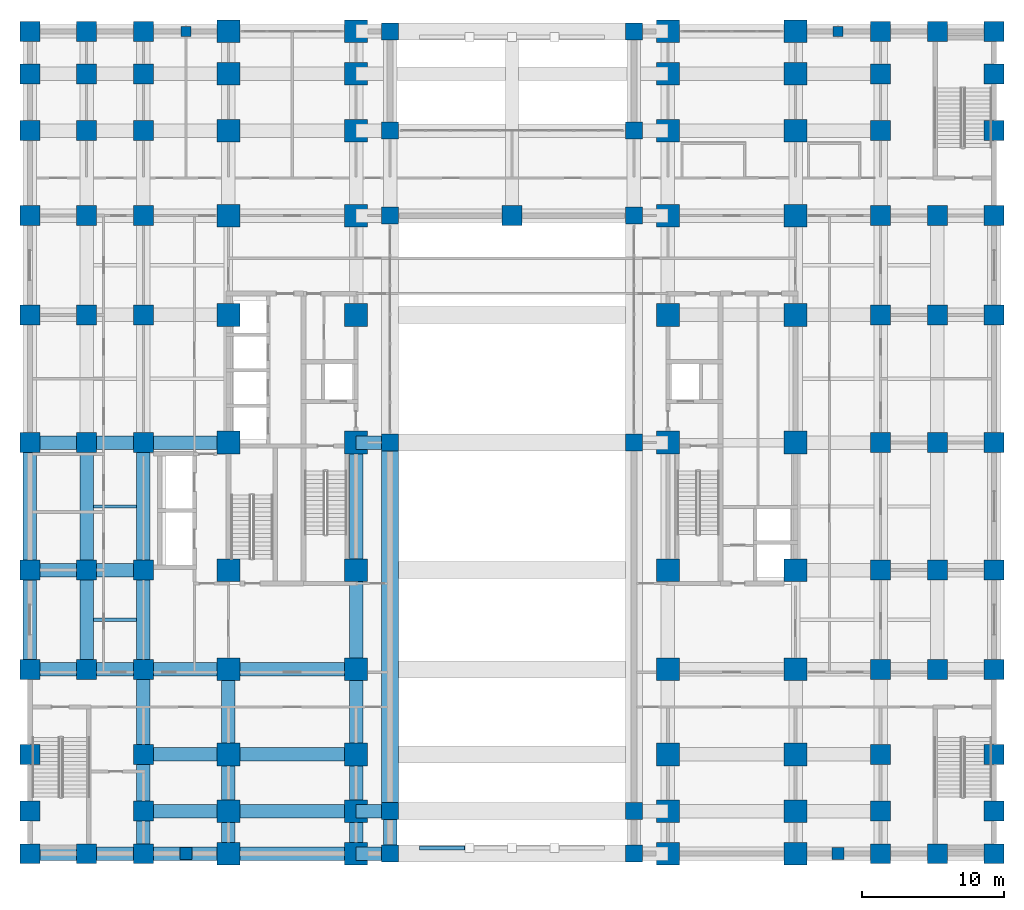
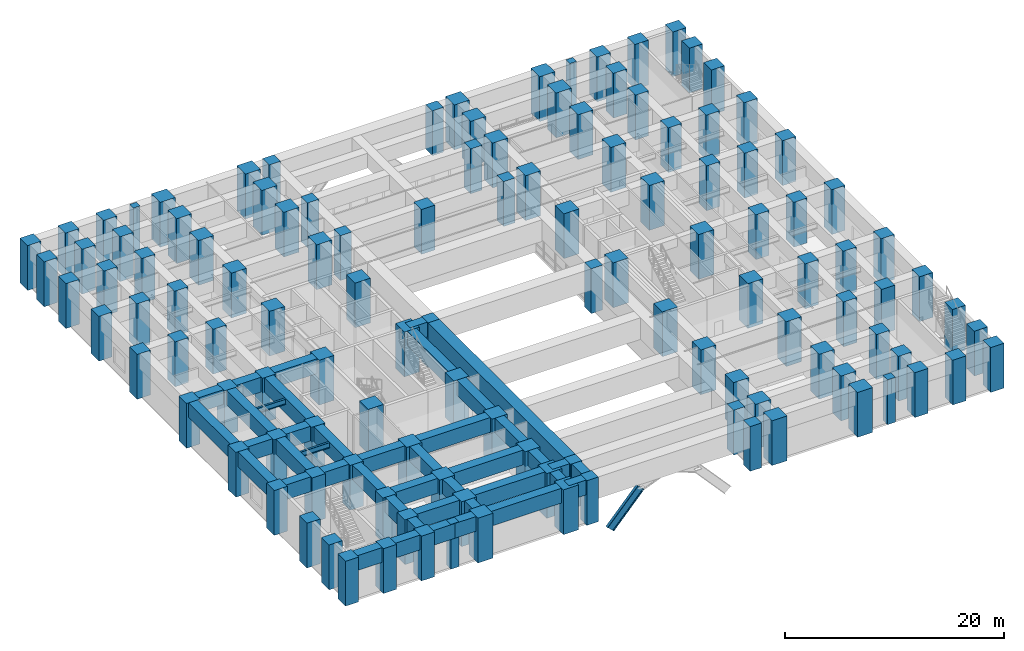
# One storey, part 1 of 24: 121 columns, 42 beams, 1 member.
"""IFC4 building model written with IfcOpenShell, lengths in metres."""

from ifc_helpers import new_model, si_unit, direction, frame, origin, origin_2d, place, context, subcontext, project, spatial, rectangle, i_section, extrude, material, material_profile, profile_set, type_object, element, save


model = new_model("IFC4")

# Units and contexts
model_context = context("Model", 3, precision=1e-05, world=origin(), true_north=direction((0.0, 1.0)))
body_context = subcontext(model_context, "Body", "Model", "MODEL_VIEW")
ifc_project = project(units=[si_unit("LENGTHUNIT", "METRE"), si_unit("AREAUNIT", "SQUARE_METRE"), si_unit("VOLUMEUNIT", "CUBIC_METRE"), si_unit("PLANEANGLEUNIT", "RADIAN"), si_unit("MASSUNIT", "GRAM", prefix="KILO")], contexts=[model_context])

# Site, building, storey
site_placement = place(None, origin())
site = spatial("IfcSite", under=ifc_project, at=site_placement, CompositionType="ELEMENT")
building_placement = place(site_placement, origin())
building = spatial("IfcBuilding", under=site, at=building_placement, Name="Zulmaris Gate Convention Tower", CompositionType="ELEMENT")
storey_placement = place(building_placement, frame((0.0, 0.0, 16.320068359375)))
storey = spatial("IfcBuildingStorey", under=building, at=storey_placement, Name="L03", CompositionType="ELEMENT", Elevation=16.320068359375)

# Columns
ifc_material_1 = material(Name="Concrete C70/85", Category="concrete")
ifc_material_profile_1 = material_profile(ifc_material_1, rectangle(XDim=1.199951171875, YDim=1.199951171875, at=origin_2d()), Name="RC COL 1200x1200")
ifc_profile_set_1 = profile_set([ifc_material_profile_1], Name="Concrete C70/85")
column_type_1 = type_object("IfcColumnType", Name="COL-RC1200", PredefinedType="COLUMN", material=ifc_profile_set_1)
for number, where, z_axis, x_axis, name in (
    (1, (-8.60009765625, -29.0, 0.0), (0.0, 0.0, 1.0), (1.0, 0.0, 0.0), "L03 Column AR--8.6_-29.0"),
    (2, (8.60009765625, -29.0, 0.0), (0.0, 0.0, 1.0), (1.0, 0.0, 0.0), "L03 Column AR-+8.6_-29.0"),
    (3, (-8.60009765625, -26.0, 0.0), (0.0, 0.0, 1.0), (1.0, 0.0, 0.0), "L03 Column AR--8.6_-26.0"),
    (4, (8.60009765625, -26.0, 0.0), (0.0, 0.0, 1.0), (1.0, 0.0, 0.0), "L03 Column AR-+8.6_-26.0"),
    (5, (-8.60009765625, 0.0, 0.0), (0.0, 0.0, 1.0), (1.0, 0.0, 0.0), "L03 Column AR--8.6_+0.0"),
    (6, (8.60009765625, 0.0, 0.0), (0.0, 0.0, 1.0), (1.0, 0.0, 0.0), "L03 Column AR-+8.6_+0.0"),
    (7, (-8.60009765625, 16.0, 0.0), (0.0, 0.0, 1.0), (1.0, 0.0, 0.0), "L03 Column AR--8.6_+16.0"),
    (8, (8.60009765625, 16.0, 0.0), (0.0, 0.0, 1.0), (1.0, 0.0, 0.0), "L03 Column AR-+8.6_+16.0"),
    (9, (-8.60009765625, 22.0, 0.0), (0.0, 0.0, 1.0), (1.0, 0.0, 0.0), "L03 Column AR--8.6_+22.0"),
    (10, (8.60009765625, 22.0, 0.0), (0.0, 0.0, 1.0), (1.0, 0.0, 0.0), "L03 Column AR-+8.6_+22.0"),
    (11, (-8.60009765625, 29.0, 0.0), (0.0, 0.0, 1.0), (1.0, 0.0, 0.0), "L03 Column AR--8.6_+29.0"),
    (12, (8.60009765625, 29.0, 0.0), (0.0, 0.0, 1.0), (1.0, 0.0, 0.0), "L03 Column AR-+8.6_+29.0"),
):
    element("IfcColumn", number, at=place(storey_placement, frame(where, z_axis=z_axis, x_axis=x_axis)), inside=storey, type_object=column_type_1, Name=name, PredefinedType="COLUMN", context=body_context, shape_type="SweptSolid", body=[
        extrude(rectangle(XDim=1.199951171875, YDim=1.199951171875, at=origin_2d()), origin(), (0.0, 0.0, 1.0), 4.989990234375),
    ])
ifc_material_2 = material(Name="Concrete C80/95", Category="concrete")
ifc_material_profile_2 = material_profile(ifc_material_2, rectangle(XDim=1.39990234375, YDim=1.39990234375, at=origin_2d()), Name="RC COL 1400x1400")
ifc_profile_set_2 = profile_set([ifc_material_profile_2], Name="Concrete C80/95")
column_type_2 = type_object("IfcColumnType", Name="COL-RC1400", PredefinedType="COLUMN", material=ifc_profile_set_2)
for number, where, z_axis, x_axis, name in (
    (13, (-34.0, -29.0, 0.0), (0.0, 0.0, 1.0), (1.0, 0.0, 0.0), "L03 Column G--34.0_-29.0"),
    (14, (-34.0, -26.0, 0.0), (0.0, 0.0, 1.0), (1.0, 0.0, 0.0), "L03 Column G--34.0_-26.0"),
    (15, (-34.0, -22.0, 0.0), (0.0, 0.0, 1.0), (1.0, 0.0, 0.0), "L03 Column G--34.0_-22.0"),
    (16, (-34.0, -16.0, 0.0), (0.0, 0.0, 1.0), (1.0, 0.0, 0.0), "L03 Column G--34.0_-16.0"),
    (17, (-34.0, -9.0, 0.0), (0.0, 0.0, 1.0), (1.0, 0.0, 0.0), "L03 Column G--34.0_-9.0"),
    (18, (-34.0, 0.0, 0.0), (0.0, 0.0, 1.0), (1.0, 0.0, 0.0), "L03 Column G--34.0_+0.0"),
    (19, (-34.0, 9.0, 0.0), (0.0, 0.0, 1.0), (1.0, 0.0, 0.0), "L03 Column G--34.0_+9.0"),
    (20, (-34.0, 16.0, 0.0), (0.0, 0.0, 1.0), (1.0, 0.0, 0.0), "L03 Column G--34.0_+16.0"),
    (21, (-34.0, 22.0, 0.0), (0.0, 0.0, 1.0), (1.0, 0.0, 0.0), "L03 Column G--34.0_+22.0"),
    (22, (-34.0, 26.0, 0.0), (0.0, 0.0, 1.0), (1.0, 0.0, 0.0), "L03 Column G--34.0_+26.0"),
    (23, (-34.0, 29.0, 0.0), (0.0, 0.0, 1.0), (1.0, 0.0, 0.0), "L03 Column G--34.0_+29.0"),
    (24, (-30.0, -29.0, 0.0), (0.0, 0.0, 1.0), (1.0, 0.0, 0.0), "L03 Column G--30.0_-29.0"),
    (25, (-30.0, -16.0, 0.0), (0.0, 0.0, 1.0), (1.0, 0.0, 0.0), "L03 Column G--30.0_-16.0"),
    (26, (-30.0, -9.0, 0.0), (0.0, 0.0, 1.0), (1.0, 0.0, 0.0), "L03 Column G--30.0_-9.0"),
    (27, (-30.0, 0.0, 0.0), (0.0, 0.0, 1.0), (1.0, 0.0, 0.0), "L03 Column G--30.0_+0.0"),
    (28, (-30.0, 9.0, 0.0), (0.0, 0.0, 1.0), (1.0, 0.0, 0.0), "L03 Column G--30.0_+9.0"),
    (29, (-30.0, 16.0, 0.0), (0.0, 0.0, 1.0), (1.0, 0.0, 0.0), "L03 Column G--30.0_+16.0"),
    (30, (-30.0, 22.0, 0.0), (0.0, 0.0, 1.0), (1.0, 0.0, 0.0), "L03 Column G--30.0_+22.0"),
    (31, (-30.0, 26.0, 0.0), (0.0, 0.0, 1.0), (1.0, 0.0, 0.0), "L03 Column G--30.0_+26.0"),
    (32, (-30.0, 29.0, 0.0), (0.0, 0.0, 1.0), (1.0, 0.0, 0.0), "L03 Column G--30.0_+29.0"),
    (33, (-26.0, -29.0, 0.0), (0.0, 0.0, 1.0), (1.0, 0.0, 0.0), "L03 Column G--26.0_-29.0"),
    (34, (-26.0, -26.0, 0.0), (0.0, 0.0, 1.0), (1.0, 0.0, 0.0), "L03 Column G--26.0_-26.0"),
    (35, (-26.0, -22.0, 0.0), (0.0, 0.0, 1.0), (1.0, 0.0, 0.0), "L03 Column G--26.0_-22.0"),
    (36, (-26.0, -16.0, 0.0), (0.0, 0.0, 1.0), (1.0, 0.0, 0.0), "L03 Column G--26.0_-16.0"),
    (37, (-26.0, -9.0, 0.0), (0.0, 0.0, 1.0), (1.0, 0.0, 0.0), "L03 Column G--26.0_-9.0"),
    (38, (-26.0, 0.0, 0.0), (0.0, 0.0, 1.0), (1.0, 0.0, 0.0), "L03 Column G--26.0_+0.0"),
    (39, (-26.0, 9.0, 0.0), (0.0, 0.0, 1.0), (1.0, 0.0, 0.0), "L03 Column G--26.0_+9.0"),
    (40, (-26.0, 16.0, 0.0), (0.0, 0.0, 1.0), (1.0, 0.0, 0.0), "L03 Column G--26.0_+16.0"),
    (41, (-26.0, 22.0, 0.0), (0.0, 0.0, 1.0), (1.0, 0.0, 0.0), "L03 Column G--26.0_+22.0"),
    (42, (-26.0, 26.0, 0.0), (0.0, 0.0, 1.0), (1.0, 0.0, 0.0), "L03 Column G--26.0_+26.0"),
    (43, (-26.0, 29.0, 0.0), (0.0, 0.0, 1.0), (1.0, 0.0, 0.0), "L03 Column G--26.0_+29.0"),
    (44, (0.0, 16.0, 0.0), (0.0, 0.0, 1.0), (1.0, 0.0, 0.0), "L03 Column G-+0.0_+16.0"),
    (45, (26.0, -29.0, 0.0), (0.0, 0.0, 1.0), (1.0, 0.0, 0.0), "L03 Column G-+26.0_-29.0"),
    (46, (26.0, -26.0, 0.0), (0.0, 0.0, 1.0), (1.0, 0.0, 0.0), "L03 Column G-+26.0_-26.0"),
    (47, (26.0, -22.0, 0.0), (0.0, 0.0, 1.0), (1.0, 0.0, 0.0), "L03 Column G-+26.0_-22.0"),
    (48, (26.0, -16.0, 0.0), (0.0, 0.0, 1.0), (1.0, 0.0, 0.0), "L03 Column G-+26.0_-16.0"),
    (49, (26.0, -9.0, 0.0), (0.0, 0.0, 1.0), (1.0, 0.0, 0.0), "L03 Column G-+26.0_-9.0"),
    (50, (26.0, 0.0, 0.0), (0.0, 0.0, 1.0), (1.0, 0.0, 0.0), "L03 Column G-+26.0_+0.0"),
    (51, (26.0, 9.0, 0.0), (0.0, 0.0, 1.0), (1.0, 0.0, 0.0), "L03 Column G-+26.0_+9.0"),
    (52, (26.0, 16.0, 0.0), (0.0, 0.0, 1.0), (1.0, 0.0, 0.0), "L03 Column G-+26.0_+16.0"),
    (53, (26.0, 22.0, 0.0), (0.0, 0.0, 1.0), (1.0, 0.0, 0.0), "L03 Column G-+26.0_+22.0"),
    (54, (26.0, 26.0, 0.0), (0.0, 0.0, 1.0), (1.0, 0.0, 0.0), "L03 Column G-+26.0_+26.0"),
    (55, (26.0, 29.0, 0.0), (0.0, 0.0, 1.0), (1.0, 0.0, 0.0), "L03 Column G-+26.0_+29.0"),
    (56, (30.0, -29.0, 0.0), (0.0, 0.0, 1.0), (1.0, 0.0, 0.0), "L03 Column G-+30.0_-29.0"),
    (57, (30.0, -16.0, 0.0), (0.0, 0.0, 1.0), (1.0, 0.0, 0.0), "L03 Column G-+30.0_-16.0"),
    (58, (30.0, -9.0, 0.0), (0.0, 0.0, 1.0), (1.0, 0.0, 0.0), "L03 Column G-+30.0_-9.0"),
    (59, (30.0, 0.0, 0.0), (0.0, 0.0, 1.0), (1.0, 0.0, 0.0), "L03 Column G-+30.0_+0.0"),
    (60, (30.0, 9.0, 0.0), (0.0, 0.0, 1.0), (1.0, 0.0, 0.0), "L03 Column G-+30.0_+9.0"),
    (61, (30.0, 16.0, 0.0), (0.0, 0.0, 1.0), (1.0, 0.0, 0.0), "L03 Column G-+30.0_+16.0"),
    (62, (30.0, 29.0, 0.0), (0.0, 0.0, 1.0), (1.0, 0.0, 0.0), "L03 Column G-+30.0_+29.0"),
    (63, (34.0, -29.0, 0.0), (0.0, 0.0, 1.0), (1.0, 0.0, 0.0), "L03 Column G-+34.0_-29.0"),
    (64, (34.0, -26.0, 0.0), (0.0, 0.0, 1.0), (1.0, 0.0, 0.0), "L03 Column G-+34.0_-26.0"),
    (65, (34.0, -22.0, 0.0), (0.0, 0.0, 1.0), (1.0, 0.0, 0.0), "L03 Column G-+34.0_-22.0"),
    (66, (34.0, -16.0, 0.0), (0.0, 0.0, 1.0), (1.0, 0.0, 0.0), "L03 Column G-+34.0_-16.0"),
    (67, (34.0, -9.0, 0.0), (0.0, 0.0, 1.0), (1.0, 0.0, 0.0), "L03 Column G-+34.0_-9.0"),
    (68, (34.0, 0.0, 0.0), (0.0, 0.0, 1.0), (1.0, 0.0, 0.0), "L03 Column G-+34.0_+0.0"),
    (69, (34.0, 9.0, 0.0), (0.0, 0.0, 1.0), (1.0, 0.0, 0.0), "L03 Column G-+34.0_+9.0"),
    (70, (34.0, 16.0, 0.0), (0.0, 0.0, 1.0), (1.0, 0.0, 0.0), "L03 Column G-+34.0_+16.0"),
    (71, (34.0, 22.0, 0.0), (0.0, 0.0, 1.0), (1.0, 0.0, 0.0), "L03 Column G-+34.0_+22.0"),
    (72, (34.0, 26.0, 0.0), (0.0, 0.0, 1.0), (1.0, 0.0, 0.0), "L03 Column G-+34.0_+26.0"),
    (73, (34.0, 29.0, 0.0), (0.0, 0.0, 1.0), (1.0, 0.0, 0.0), "L03 Column G-+34.0_+29.0"),
):
    element("IfcColumn", number, at=place(storey_placement, frame(where, z_axis=z_axis, x_axis=x_axis)), inside=storey, type_object=column_type_2, Name=name, PredefinedType="COLUMN", context=body_context, shape_type="SweptSolid", body=[
        extrude(rectangle(XDim=1.39990234375, YDim=1.39990234375, at=origin_2d()), origin(), (0.0, 0.0, 1.0), 4.989990234375),
    ])
ifc_material_profile_3 = material_profile(ifc_material_2, rectangle(XDim=1.60009765625, YDim=1.60009765625, at=origin_2d()), Name="RC COL 1600x1600")
ifc_profile_set_3 = profile_set([ifc_material_profile_3], Name="Concrete C80/95")
column_type_3 = type_object("IfcColumnType", Name="COL-RC1600", PredefinedType="COLUMN", material=ifc_profile_set_3)
for number, where, z_axis, x_axis, name in (
    (74, (-20.0, -29.0, 0.0), (0.0, 0.0, 1.0), (1.0, 0.0, 0.0), "L03 Column G--20.0_-29.0"),
    (75, (-20.0, -26.0, 0.0), (0.0, 0.0, 1.0), (1.0, 0.0, 0.0), "L03 Column G--20.0_-26.0"),
    (76, (-20.0, -22.0, 0.0), (0.0, 0.0, 1.0), (1.0, 0.0, 0.0), "L03 Column G--20.0_-22.0"),
    (77, (-20.0, -16.0, 0.0), (0.0, 0.0, 1.0), (1.0, 0.0, 0.0), "L03 Column G--20.0_-16.0"),
    (78, (-20.0, -9.0, 0.0), (0.0, 0.0, 1.0), (1.0, 0.0, 0.0), "L03 Column G--20.0_-9.0"),
    (79, (-20.0, 0.0, 0.0), (0.0, 0.0, 1.0), (1.0, 0.0, 0.0), "L03 Column G--20.0_+0.0"),
    (80, (-20.0, 9.0, 0.0), (0.0, 0.0, 1.0), (1.0, 0.0, 0.0), "L03 Column G--20.0_+9.0"),
    (81, (-20.0, 16.0, 0.0), (0.0, 0.0, 1.0), (1.0, 0.0, 0.0), "L03 Column G--20.0_+16.0"),
    (82, (-20.0, 22.0, 0.0), (0.0, 0.0, 1.0), (1.0, 0.0, 0.0), "L03 Column G--20.0_+22.0"),
    (83, (-20.0, 26.0, 0.0), (0.0, 0.0, 1.0), (1.0, 0.0, 0.0), "L03 Column G--20.0_+26.0"),
    (84, (-20.0, 29.0, 0.0), (0.0, 0.0, 1.0), (1.0, 0.0, 0.0), "L03 Column G--20.0_+29.0"),
    (85, (-11.0, -29.0, 0.0), (0.0, 0.0, 1.0), (1.0, 0.0, 0.0), "L03 Column G--11.0_-29.0"),
    (86, (-11.0, -26.0, 0.0), (0.0, 0.0, 1.0), (1.0, 0.0, 0.0), "L03 Column G--11.0_-26.0"),
    (87, (-11.0, -22.0, 0.0), (0.0, 0.0, 1.0), (1.0, 0.0, 0.0), "L03 Column G--11.0_-22.0"),
    (88, (-11.0, -16.0, 0.0), (0.0, 0.0, 1.0), (1.0, 0.0, 0.0), "L03 Column G--11.0_-16.0"),
    (89, (-11.0, -9.0, 0.0), (0.0, 0.0, 1.0), (1.0, 0.0, 0.0), "L03 Column G--11.0_-9.0"),
    (90, (-11.0, 0.0, 0.0), (0.0, 0.0, 1.0), (1.0, 0.0, 0.0), "L03 Column G--11.0_+0.0"),
    (91, (-11.0, 9.0, 0.0), (0.0, 0.0, 1.0), (1.0, 0.0, 0.0), "L03 Column G--11.0_+9.0"),
    (92, (-11.0, 16.0, 0.0), (0.0, 0.0, 1.0), (1.0, 0.0, 0.0), "L03 Column G--11.0_+16.0"),
    (93, (-11.0, 22.0, 0.0), (0.0, 0.0, 1.0), (1.0, 0.0, 0.0), "L03 Column G--11.0_+22.0"),
    (94, (-11.0, 26.0, 0.0), (0.0, 0.0, 1.0), (1.0, 0.0, 0.0), "L03 Column G--11.0_+26.0"),
    (95, (-11.0, 29.0, 0.0), (0.0, 0.0, 1.0), (1.0, 0.0, 0.0), "L03 Column G--11.0_+29.0"),
    (96, (11.0, -29.0, 0.0), (0.0, 0.0, 1.0), (1.0, 0.0, 0.0), "L03 Column G-+11.0_-29.0"),
    (97, (11.0, -26.0, 0.0), (0.0, 0.0, 1.0), (1.0, 0.0, 0.0), "L03 Column G-+11.0_-26.0"),
    (98, (11.0, -22.0, 0.0), (0.0, 0.0, 1.0), (1.0, 0.0, 0.0), "L03 Column G-+11.0_-22.0"),
    (99, (11.0, -16.0, 0.0), (0.0, 0.0, 1.0), (1.0, 0.0, 0.0), "L03 Column G-+11.0_-16.0"),
    (100, (11.0, -9.0, 0.0), (0.0, 0.0, 1.0), (1.0, 0.0, 0.0), "L03 Column G-+11.0_-9.0"),
    (101, (11.0, 0.0, 0.0), (0.0, 0.0, 1.0), (1.0, 0.0, 0.0), "L03 Column G-+11.0_+0.0"),
    (102, (11.0, 9.0, 0.0), (0.0, 0.0, 1.0), (1.0, 0.0, 0.0), "L03 Column G-+11.0_+9.0"),
    (103, (11.0, 16.0, 0.0), (0.0, 0.0, 1.0), (1.0, 0.0, 0.0), "L03 Column G-+11.0_+16.0"),
    (104, (11.0, 22.0, 0.0), (0.0, 0.0, 1.0), (1.0, 0.0, 0.0), "L03 Column G-+11.0_+22.0"),
    (105, (11.0, 26.0, 0.0), (0.0, 0.0, 1.0), (1.0, 0.0, 0.0), "L03 Column G-+11.0_+26.0"),
    (106, (11.0, 29.0, 0.0), (0.0, 0.0, 1.0), (1.0, 0.0, 0.0), "L03 Column G-+11.0_+29.0"),
    (107, (20.0, -29.0, 0.0), (0.0, 0.0, 1.0), (1.0, 0.0, 0.0), "L03 Column G-+20.0_-29.0"),
    (108, (20.0, -26.0, 0.0), (0.0, 0.0, 1.0), (1.0, 0.0, 0.0), "L03 Column G-+20.0_-26.0"),
    (109, (20.0, -22.0, 0.0), (0.0, 0.0, 1.0), (1.0, 0.0, 0.0), "L03 Column G-+20.0_-22.0"),
    (110, (20.0, -16.0, 0.0), (0.0, 0.0, 1.0), (1.0, 0.0, 0.0), "L03 Column G-+20.0_-16.0"),
    (111, (20.0, -9.0, 0.0), (0.0, 0.0, 1.0), (1.0, 0.0, 0.0), "L03 Column G-+20.0_-9.0"),
    (112, (20.0, 0.0, 0.0), (0.0, 0.0, 1.0), (1.0, 0.0, 0.0), "L03 Column G-+20.0_+0.0"),
    (113, (20.0, 9.0, 0.0), (0.0, 0.0, 1.0), (1.0, 0.0, 0.0), "L03 Column G-+20.0_+9.0"),
    (114, (20.0, 16.0, 0.0), (0.0, 0.0, 1.0), (1.0, 0.0, 0.0), "L03 Column G-+20.0_+16.0"),
    (115, (20.0, 22.0, 0.0), (0.0, 0.0, 1.0), (1.0, 0.0, 0.0), "L03 Column G-+20.0_+22.0"),
    (116, (20.0, 26.0, 0.0), (0.0, 0.0, 1.0), (1.0, 0.0, 0.0), "L03 Column G-+20.0_+26.0"),
    (117, (20.0, 29.0, 0.0), (0.0, 0.0, 1.0), (1.0, 0.0, 0.0), "L03 Column G-+20.0_+29.0"),
):
    element("IfcColumn", number, at=place(storey_placement, frame(where, z_axis=z_axis, x_axis=x_axis)), inside=storey, type_object=column_type_3, Name=name, PredefinedType="COLUMN", context=body_context, shape_type="SweptSolid", body=[
        extrude(rectangle(XDim=1.60009765625, YDim=1.60009765625, at=origin_2d()), origin(), (0.0, 0.0, 1.0), 4.989990234375),
    ])
ifc_material_3 = material(Name="Precast concrete C50/60", Category="concrete")
ifc_material_profile_4 = material_profile(ifc_material_3, rectangle(XDim=0.699951171875, YDim=0.699951171875, at=origin_2d()), Name="RC COL 700x700")
ifc_profile_set_4 = profile_set([ifc_material_profile_4], Name="Precast concrete C50/60")
column_type_4 = type_object("IfcColumnType", Name="PIL-RC700", PredefinedType="PILASTER", material=ifc_profile_set_4)
for number, where, z_axis, x_axis, name in (
    (118, (-23.0, 29.0, 0.0), (0.0, 0.0, 1.0), (1.0, 0.0, 0.0), "L03 Pilaster PIL--23.0_+29.0"),
    (119, (23.0, 29.0, 0.0), (0.0, 0.0, 1.0), (1.0, 0.0, 0.0), "L03 Pilaster PIL-+23.0_+29.0"),
):
    element("IfcColumn", number, at=place(storey_placement, frame(where, z_axis=z_axis, x_axis=x_axis)), inside=storey, type_object=column_type_4, Name=name, PredefinedType="PILASTER", context=body_context, shape_type="SweptSolid", body=[
        extrude(rectangle(XDim=0.699951171875, YDim=0.699951171875, at=origin_2d()), origin(), (0.0, 0.0, 1.0), 4.989990234375),
    ])
ifc_material_profile_5 = material_profile(ifc_material_3, rectangle(XDim=0.85009765625, YDim=0.85009765625, at=origin_2d()), Name="RC COL 850x850")
ifc_profile_set_5 = profile_set([ifc_material_profile_5], Name="Precast concrete C50/60")
column_type_5 = type_object("IfcColumnType", Name="PIL-RC850", PredefinedType="PILASTER", material=ifc_profile_set_5)
for number, where, z_axis, x_axis, name in (
    (120, (-23.0, -29.0, 0.0), (0.0, 0.0, 1.0), (1.0, 0.0, 0.0), "L03 Pilaster PIL--23.0_-29.0"),
    (121, (23.0, -29.0, 0.0), (0.0, 0.0, 1.0), (1.0, 0.0, 0.0), "L03 Pilaster PIL-+23.0_-29.0"),
):
    element("IfcColumn", number, at=place(storey_placement, frame(where, z_axis=z_axis, x_axis=x_axis)), inside=storey, type_object=column_type_5, Name=name, PredefinedType="PILASTER", context=body_context, shape_type="SweptSolid", body=[
        extrude(rectangle(XDim=0.85009765625, YDim=0.85009765625, at=origin_2d()), origin(), (0.0, 0.0, 1.0), 4.989990234375),
    ])

# Beams
ifc_material_profile_6 = material_profile(ifc_material_2, rectangle(XDim=0.949951171875, YDim=1.64990234375, at=origin_2d()), Name="RC TRANSFER 950x1650")
ifc_profile_set_6 = profile_set([ifc_material_profile_6], Name="Concrete C80/95")
beam_type_1 = type_object("IfcBeamType", Name="BM-XFER1650", PredefinedType="BEAM", material=ifc_profile_set_6)
for number, where, z_axis, x_axis, name in (
    (122, (-34.0, -29.0, 4.1650390625), (1.0, 0.0, 0.0), (0.0, 1.0, 0.0), "L03 Beam XFRNGX-L03--29.0-1"),
    (123, (-30.0, -29.0, 4.1650390625), (1.0, 0.0, 0.0), (0.0, 1.0, 0.0), "L03 Beam XFRNGX-L03--29.0-2"),
):
    element("IfcBeam", number, at=place(storey_placement, frame(where, z_axis=z_axis, x_axis=x_axis)), inside=storey, type_object=beam_type_1, Name=name, PredefinedType="BEAM", context=body_context, shape_type="SweptSolid", body=[
        extrude(rectangle(XDim=0.949951171875, YDim=1.64990234375, at=origin_2d()), origin(), (0.0, 0.0, 1.0), 4.0),
    ])
for number, where, z_axis, x_axis, name in (
    (124, (-26.0, -29.0, 4.1650390625), (1.0, 0.0, 0.0), (0.0, 1.0, 0.0), "L03 Beam XFRNGX-L03--29.0-3"),
    (125, (-23.0, -29.0, 4.1650390625), (1.0, 0.0, 0.0), (0.0, 1.0, 0.0), "L03 Beam XFRNGX-L03--29.0-4"),
):
    element("IfcBeam", number, at=place(storey_placement, frame(where, z_axis=z_axis, x_axis=x_axis)), inside=storey, type_object=beam_type_1, Name=name, PredefinedType="BEAM", context=body_context, shape_type="SweptSolid", body=[
        extrude(rectangle(XDim=0.949951171875, YDim=1.64990234375, at=origin_2d()), origin(), (0.0, 0.0, 1.0), 3.0),
    ])
beam_1_placement = place(storey_placement, frame((-20.0, -29.0, 4.1650390625), z_axis=(1.0, 0.0, 0.0), x_axis=(0.0, 1.0, 0.0)))
element("IfcBeam", 126, at=beam_1_placement, inside=storey, type_object=beam_type_1, Name="L03 Beam XFRNGX-L03--29.0-5", PredefinedType="BEAM", context=body_context, shape_type="SweptSolid", body=[
    extrude(rectangle(XDim=0.949951171875, YDim=1.64990234375, at=origin_2d()), origin(), (0.0, 0.0, 1.0), 9.0),
])
beam_2_placement = place(storey_placement, frame((-11.0, -29.0, 4.1650390625), z_axis=(1.0, 0.0, 0.0), x_axis=(0.0, 1.0, 0.0)))
element("IfcBeam", 127, at=beam_2_placement, inside=storey, type_object=beam_type_1, Name="L03 Beam XFRNGX-L03--29.0-6", PredefinedType="BEAM", context=body_context, shape_type="SweptSolid", body=[
    extrude(rectangle(XDim=0.949951171875, YDim=1.64990234375, at=origin_2d()), origin(), (0.0, 0.0, 1.0), 2.39990234375),
])
beam_3_placement = place(storey_placement, frame((-34.0, -16.0, 4.1650390625), z_axis=(0.0, 1.0, 0.0), x_axis=(-1.0, 0.0, 0.0)))
element("IfcBeam", 128, at=beam_3_placement, inside=storey, type_object=beam_type_1, Name="L03 Beam XFRNGY-L03--34.0-4", PredefinedType="BEAM", context=body_context, shape_type="SweptSolid", body=[
    extrude(rectangle(XDim=0.949951171875, YDim=1.64990234375, at=origin_2d()), origin(), (0.0, 0.0, 1.0), 7.0),
])
beam_4_placement = place(storey_placement, frame((-34.0, -9.0, 4.1650390625), z_axis=(0.0, 1.0, 0.0), x_axis=(-1.0, 0.0, 0.0)))
element("IfcBeam", 129, at=beam_4_placement, inside=storey, type_object=beam_type_1, Name="L03 Beam XFRNGY-L03--34.0-5", PredefinedType="BEAM", context=body_context, shape_type="SweptSolid", body=[
    extrude(rectangle(XDim=0.949951171875, YDim=1.64990234375, at=origin_2d()), origin(), (0.0, 0.0, 1.0), 9.0),
])
beam_5_placement = place(storey_placement, frame((-30.0, -16.0, 4.1650390625), z_axis=(0.0, 1.0, 0.0), x_axis=(-1.0, 0.0, 0.0)))
element("IfcBeam", 130, at=beam_5_placement, inside=storey, type_object=beam_type_1, Name="L03 Beam XFSPY-L03--30.0-2", PredefinedType="BEAM", context=body_context, shape_type="SweptSolid", body=[
    extrude(rectangle(XDim=0.949951171875, YDim=1.64990234375, at=origin_2d()), origin(), (0.0, 0.0, 1.0), 7.0),
])
beam_6_placement = place(storey_placement, frame((-30.0, -9.0, 4.1650390625), z_axis=(0.0, 1.0, 0.0), x_axis=(-1.0, 0.0, 0.0)))
element("IfcBeam", 131, at=beam_6_placement, inside=storey, type_object=beam_type_1, Name="L03 Beam XFSPY-L03--30.0-3", PredefinedType="BEAM", context=body_context, shape_type="SweptSolid", body=[
    extrude(rectangle(XDim=0.949951171875, YDim=1.64990234375, at=origin_2d()), origin(), (0.0, 0.0, 1.0), 9.0),
])
beam_7_placement = place(storey_placement, frame((-26.0, -29.0, 4.1650390625), z_axis=(0.0, 1.0, 0.0), x_axis=(-1.0, 0.0, 0.0)))
element("IfcBeam", 132, at=beam_7_placement, inside=storey, type_object=beam_type_1, Name="L03 Beam XFSPY-L03--26.0-1", PredefinedType="BEAM", context=body_context, shape_type="SweptSolid", body=[
    extrude(rectangle(XDim=0.949951171875, YDim=1.64990234375, at=origin_2d()), origin(), (0.0, 0.0, 1.0), 3.0),
])
beam_8_placement = place(storey_placement, frame((-26.0, -26.0, 4.1650390625), z_axis=(0.0, 1.0, 0.0), x_axis=(-1.0, 0.0, 0.0)))
element("IfcBeam", 133, at=beam_8_placement, inside=storey, type_object=beam_type_1, Name="L03 Beam XFSPY-L03--26.0-2", PredefinedType="BEAM", context=body_context, shape_type="SweptSolid", body=[
    extrude(rectangle(XDim=0.949951171875, YDim=1.64990234375, at=origin_2d()), origin(), (0.0, 0.0, 1.0), 4.0),
])
beam_9_placement = place(storey_placement, frame((-26.0, -22.0, 4.1650390625), z_axis=(0.0, 1.0, 0.0), x_axis=(-1.0, 0.0, 0.0)))
element("IfcBeam", 134, at=beam_9_placement, inside=storey, type_object=beam_type_1, Name="L03 Beam XFSPY-L03--26.0-3", PredefinedType="BEAM", context=body_context, shape_type="SweptSolid", body=[
    extrude(rectangle(XDim=0.949951171875, YDim=1.64990234375, at=origin_2d()), origin(), (0.0, 0.0, 1.0), 6.0),
])
beam_10_placement = place(storey_placement, frame((-26.0, -16.0, 4.1650390625), z_axis=(0.0, 1.0, 0.0), x_axis=(-1.0, 0.0, 0.0)))
element("IfcBeam", 135, at=beam_10_placement, inside=storey, type_object=beam_type_1, Name="L03 Beam XFSPY-L03--26.0-4", PredefinedType="BEAM", context=body_context, shape_type="SweptSolid", body=[
    extrude(rectangle(XDim=0.949951171875, YDim=1.64990234375, at=origin_2d()), origin(), (0.0, 0.0, 1.0), 7.0),
])
beam_11_placement = place(storey_placement, frame((-26.0, -9.0, 4.1650390625), z_axis=(0.0, 1.0, 0.0), x_axis=(-1.0, 0.0, 0.0)))
element("IfcBeam", 136, at=beam_11_placement, inside=storey, type_object=beam_type_1, Name="L03 Beam XFSPY-L03--26.0-5", PredefinedType="BEAM", context=body_context, shape_type="SweptSolid", body=[
    extrude(rectangle(XDim=0.949951171875, YDim=1.64990234375, at=origin_2d()), origin(), (0.0, 0.0, 1.0), 9.0),
])
beam_12_placement = place(storey_placement, frame((-20.0, -29.0, 4.1650390625), z_axis=(0.0, 1.0, 0.0), x_axis=(-1.0, 0.0, 0.0)))
element("IfcBeam", 137, at=beam_12_placement, inside=storey, type_object=beam_type_1, Name="L03 Beam XFSPY-L03--20.0-1", PredefinedType="BEAM", context=body_context, shape_type="SweptSolid", body=[
    extrude(rectangle(XDim=0.949951171875, YDim=1.64990234375, at=origin_2d()), origin(), (0.0, 0.0, 1.0), 3.0),
])
beam_13_placement = place(storey_placement, frame((-20.0, -26.0, 4.1650390625), z_axis=(0.0, 1.0, 0.0), x_axis=(-1.0, 0.0, 0.0)))
element("IfcBeam", 138, at=beam_13_placement, inside=storey, type_object=beam_type_1, Name="L03 Beam XFSPY-L03--20.0-2", PredefinedType="BEAM", context=body_context, shape_type="SweptSolid", body=[
    extrude(rectangle(XDim=0.949951171875, YDim=1.64990234375, at=origin_2d()), origin(), (0.0, 0.0, 1.0), 4.0),
])
beam_14_placement = place(storey_placement, frame((-20.0, -22.0, 4.1650390625), z_axis=(0.0, 1.0, 0.0), x_axis=(-1.0, 0.0, 0.0)))
element("IfcBeam", 139, at=beam_14_placement, inside=storey, type_object=beam_type_1, Name="L03 Beam XFSPY-L03--20.0-3", PredefinedType="BEAM", context=body_context, shape_type="SweptSolid", body=[
    extrude(rectangle(XDim=0.949951171875, YDim=1.64990234375, at=origin_2d()), origin(), (0.0, 0.0, 1.0), 6.0),
])
beam_15_placement = place(storey_placement, frame((-11.0, -29.0, 4.1650390625), z_axis=(0.0, 1.0, 0.0), x_axis=(-1.0, 0.0, 0.0)))
element("IfcBeam", 140, at=beam_15_placement, inside=storey, type_object=beam_type_1, Name="L03 Beam XFSPY-L03--11.0-1", PredefinedType="BEAM", context=body_context, shape_type="SweptSolid", body=[
    extrude(rectangle(XDim=0.949951171875, YDim=1.64990234375, at=origin_2d()), origin(), (0.0, 0.0, 1.0), 3.0),
])
beam_16_placement = place(storey_placement, frame((-11.0, -26.0, 4.1650390625), z_axis=(0.0, 1.0, 0.0), x_axis=(-1.0, 0.0, 0.0)))
element("IfcBeam", 141, at=beam_16_placement, inside=storey, type_object=beam_type_1, Name="L03 Beam XFSPY-L03--11.0-2", PredefinedType="BEAM", context=body_context, shape_type="SweptSolid", body=[
    extrude(rectangle(XDim=0.949951171875, YDim=1.64990234375, at=origin_2d()), origin(), (0.0, 0.0, 1.0), 4.0),
])
beam_17_placement = place(storey_placement, frame((-11.0, -22.0, 4.1650390625), z_axis=(0.0, 1.0, 0.0), x_axis=(-1.0, 0.0, 0.0)))
element("IfcBeam", 142, at=beam_17_placement, inside=storey, type_object=beam_type_1, Name="L03 Beam XFSPY-L03--11.0-3", PredefinedType="BEAM", context=body_context, shape_type="SweptSolid", body=[
    extrude(rectangle(XDim=0.949951171875, YDim=1.64990234375, at=origin_2d()), origin(), (0.0, 0.0, 1.0), 6.0),
])
beam_18_placement = place(storey_placement, frame((-11.0, -16.0, 4.1650390625), z_axis=(0.0, 1.0, 0.0), x_axis=(-1.0, 0.0, 0.0)))
element("IfcBeam", 143, at=beam_18_placement, inside=storey, type_object=beam_type_1, Name="L03 Beam XFSPY-L03--11.0-4", PredefinedType="BEAM", context=body_context, shape_type="SweptSolid", body=[
    extrude(rectangle(XDim=0.949951171875, YDim=1.64990234375, at=origin_2d()), origin(), (0.0, 0.0, 1.0), 7.0),
])
beam_19_placement = place(storey_placement, frame((-11.0, -9.0, 4.1650390625), z_axis=(0.0, 1.0, 0.0), x_axis=(-1.0, 0.0, 0.0)))
element("IfcBeam", 144, at=beam_19_placement, inside=storey, type_object=beam_type_1, Name="L03 Beam XFSPY-L03--11.0-5", PredefinedType="BEAM", context=body_context, shape_type="SweptSolid", body=[
    extrude(rectangle(XDim=0.949951171875, YDim=1.64990234375, at=origin_2d()), origin(), (0.0, 0.0, 1.0), 9.0),
])
beam_20_placement = place(storey_placement, frame((-8.60009765625, -29.0, 4.1650390625), z_axis=(0.0, 1.0, 0.0), x_axis=(-1.0, 0.0, 0.0)))
element("IfcBeam", 145, at=beam_20_placement, inside=storey, type_object=beam_type_1, Name="L03 Beam XFSPY-L03--8.6-1", PredefinedType="BEAM", context=body_context, shape_type="SweptSolid", body=[
    extrude(rectangle(XDim=0.949951171875, YDim=1.64990234375, at=origin_2d()), origin(), (0.0, 0.0, 1.0), 3.0),
])
beam_21_placement = place(storey_placement, frame((-26.0, -26.0, 4.1650390625), z_axis=(1.0, 0.0, 0.0), x_axis=(0.0, 1.0, 0.0)))
element("IfcBeam", 146, at=beam_21_placement, inside=storey, type_object=beam_type_1, Name="L03 Beam XFSPX-L03--26.0-2", PredefinedType="BEAM", context=body_context, shape_type="SweptSolid", body=[
    extrude(rectangle(XDim=0.949951171875, YDim=1.64990234375, at=origin_2d()), origin(), (0.0, 0.0, 1.0), 6.0),
])
beam_22_placement = place(storey_placement, frame((-20.0, -26.0, 4.1650390625), z_axis=(1.0, 0.0, 0.0), x_axis=(0.0, 1.0, 0.0)))
element("IfcBeam", 147, at=beam_22_placement, inside=storey, type_object=beam_type_1, Name="L03 Beam XFSPX-L03--26.0-3", PredefinedType="BEAM", context=body_context, shape_type="SweptSolid", body=[
    extrude(rectangle(XDim=0.949951171875, YDim=1.64990234375, at=origin_2d()), origin(), (0.0, 0.0, 1.0), 9.0),
])
beam_23_placement = place(storey_placement, frame((-11.0, -26.0, 4.1650390625), z_axis=(1.0, 0.0, 0.0), x_axis=(0.0, 1.0, 0.0)))
element("IfcBeam", 148, at=beam_23_placement, inside=storey, type_object=beam_type_1, Name="L03 Beam XFSPX-L03--26.0-4", PredefinedType="BEAM", context=body_context, shape_type="SweptSolid", body=[
    extrude(rectangle(XDim=0.949951171875, YDim=1.64990234375, at=origin_2d()), origin(), (0.0, 0.0, 1.0), 2.39990234375),
])
beam_24_placement = place(storey_placement, frame((-26.0, -22.0, 4.1650390625), z_axis=(1.0, 0.0, 0.0), x_axis=(0.0, 1.0, 0.0)))
element("IfcBeam", 149, at=beam_24_placement, inside=storey, type_object=beam_type_1, Name="L03 Beam XFSPX-L03--22.0-2", PredefinedType="BEAM", context=body_context, shape_type="SweptSolid", body=[
    extrude(rectangle(XDim=0.949951171875, YDim=1.64990234375, at=origin_2d()), origin(), (0.0, 0.0, 1.0), 6.0),
])
beam_25_placement = place(storey_placement, frame((-20.0, -22.0, 4.1650390625), z_axis=(1.0, 0.0, 0.0), x_axis=(0.0, 1.0, 0.0)))
element("IfcBeam", 150, at=beam_25_placement, inside=storey, type_object=beam_type_1, Name="L03 Beam XFSPX-L03--22.0-3", PredefinedType="BEAM", context=body_context, shape_type="SweptSolid", body=[
    extrude(rectangle(XDim=0.949951171875, YDim=1.64990234375, at=origin_2d()), origin(), (0.0, 0.0, 1.0), 9.0),
])
for number, where, z_axis, x_axis, name in (
    (151, (-34.0, -16.0, 4.1650390625), (1.0, 0.0, 0.0), (0.0, 1.0, 0.0), "L03 Beam XFSPX-L03--16.0-1"),
    (152, (-30.0, -16.0, 4.1650390625), (1.0, 0.0, 0.0), (0.0, 1.0, 0.0), "L03 Beam XFSPX-L03--16.0-2"),
):
    element("IfcBeam", number, at=place(storey_placement, frame(where, z_axis=z_axis, x_axis=x_axis)), inside=storey, type_object=beam_type_1, Name=name, PredefinedType="BEAM", context=body_context, shape_type="SweptSolid", body=[
        extrude(rectangle(XDim=0.949951171875, YDim=1.64990234375, at=origin_2d()), origin(), (0.0, 0.0, 1.0), 4.0),
    ])
beam_26_placement = place(storey_placement, frame((-26.0, -16.0, 4.1650390625), z_axis=(1.0, 0.0, 0.0), x_axis=(0.0, 1.0, 0.0)))
element("IfcBeam", 153, at=beam_26_placement, inside=storey, type_object=beam_type_1, Name="L03 Beam XFSPX-L03--16.0-3", PredefinedType="BEAM", context=body_context, shape_type="SweptSolid", body=[
    extrude(rectangle(XDim=0.949951171875, YDim=1.64990234375, at=origin_2d()), origin(), (0.0, 0.0, 1.0), 6.0),
])
beam_27_placement = place(storey_placement, frame((-20.0, -16.0, 4.1650390625), z_axis=(1.0, 0.0, 0.0), x_axis=(0.0, 1.0, 0.0)))
element("IfcBeam", 154, at=beam_27_placement, inside=storey, type_object=beam_type_1, Name="L03 Beam XFSPX-L03--16.0-4", PredefinedType="BEAM", context=body_context, shape_type="SweptSolid", body=[
    extrude(rectangle(XDim=0.949951171875, YDim=1.64990234375, at=origin_2d()), origin(), (0.0, 0.0, 1.0), 9.0),
])
for number, where, z_axis, x_axis, name in (
    (155, (-34.0, -9.0, 4.1650390625), (1.0, 0.0, 0.0), (0.0, 1.0, 0.0), "L03 Beam XFSPX-L03--9.0-1"),
    (156, (-30.0, -9.0, 4.1650390625), (1.0, 0.0, 0.0), (0.0, 1.0, 0.0), "L03 Beam XFSPX-L03--9.0-2"),
    (157, (-34.0, 0.0, 4.1650390625), (1.0, 0.0, 0.0), (0.0, 1.0, 0.0), "L03 Beam XFSPX-L03-+0.0-1"),
    (158, (-30.0, 0.0, 4.1650390625), (1.0, 0.0, 0.0), (0.0, 1.0, 0.0), "L03 Beam XFSPX-L03-+0.0-2"),
):
    element("IfcBeam", number, at=place(storey_placement, frame(where, z_axis=z_axis, x_axis=x_axis)), inside=storey, type_object=beam_type_1, Name=name, PredefinedType="BEAM", context=body_context, shape_type="SweptSolid", body=[
        extrude(rectangle(XDim=0.949951171875, YDim=1.64990234375, at=origin_2d()), origin(), (0.0, 0.0, 1.0), 4.0),
    ])
beam_28_placement = place(storey_placement, frame((-26.0, 0.0, 4.1650390625), z_axis=(1.0, 0.0, 0.0), x_axis=(0.0, 1.0, 0.0)))
element("IfcBeam", 159, at=beam_28_placement, inside=storey, type_object=beam_type_1, Name="L03 Beam XFSPX-L03-+0.0-3", PredefinedType="BEAM", context=body_context, shape_type="SweptSolid", body=[
    extrude(rectangle(XDim=0.949951171875, YDim=1.64990234375, at=origin_2d()), origin(), (0.0, 0.0, 1.0), 6.0),
])
beam_29_placement = place(storey_placement, frame((-11.0, 0.0, 4.1650390625), z_axis=(1.0, 0.0, 0.0), x_axis=(0.0, 1.0, 0.0)))
element("IfcBeam", 160, at=beam_29_placement, inside=storey, type_object=beam_type_1, Name="L03 Beam XFSPX-L03-+0.0-5", PredefinedType="BEAM", context=body_context, shape_type="SweptSolid", body=[
    extrude(rectangle(XDim=0.949951171875, YDim=1.64990234375, at=origin_2d()), origin(), (0.0, 0.0, 1.0), 2.39990234375),
])
ifc_material_profile_7 = material_profile(ifc_material_2, rectangle(XDim=1.199951171875, YDim=2.39990234375, at=origin_2d()), Name="RC TRANSFER 1200x2400")
ifc_profile_set_7 = profile_set([ifc_material_profile_7], Name="Concrete C80/95")
beam_type_2 = type_object("IfcBeamType", Name="BM-XFER2400", PredefinedType="BEAM", material=ifc_profile_set_7)
beam_30_placement = place(storey_placement, frame((-8.60009765625, -26.0, 3.7900390625), z_axis=(0.0, 1.0, 0.0), x_axis=(-1.0, 0.0, 0.0)))
element("IfcBeam", 161, at=beam_30_placement, inside=storey, type_object=beam_type_2, Name="L03 Beam XFSPY-L03--8.6-2", PredefinedType="BEAM", context=body_context, shape_type="SweptSolid", body=[
    extrude(rectangle(XDim=1.199951171875, YDim=2.39990234375, at=origin_2d()), origin(), (0.0, 0.0, 1.0), 26.0),
])

# Member
ifc_material_4 = material(Name="Steel S460", Category="steel")
ifc_material_profile_8 = material_profile(ifc_material_4, i_section(OverallWidth=0.302001953125, OverallDepth=0.909912109375, WebThickness=0.02099609375, FlangeThickness=0.0400390625, FilletRadius=0.030029296875, at=origin_2d()), Name="HEM 900")
ifc_profile_set_8 = profile_set([ifc_material_profile_8], Name="Steel S460")
member_type = type_object("IfcMemberType", Name="CH-HEM900", PredefinedType="CHORD", material=ifc_profile_set_8)
member_placement = place(storey_placement, frame((-6.199951171875, -28.60009765625, -2.02001953125), z_axis=(0.669531801029, 0.0, 0.742783391986), x_axis=(0.0, 1.0, 0.0)))
element("IfcMember", 162, at=member_placement, inside=storey, type_object=member_type, Name="Pishtaq Arch Rib S-2", PredefinedType="CHORD", context=body_context, shape_type="SweptSolid", body=[
    extrude(i_section(OverallWidth=0.302001953125, OverallDepth=0.909912109375, WebThickness=0.02099609375, FlangeThickness=0.0400390625, FilletRadius=0.030029296875, at=origin_2d()), origin(), (0.0, 0.0, 1.0), 4.779296875),
])

# Beams
ifc_material_5 = material(Name="Steel S355", Category="steel")
ifc_material_profile_9 = material_profile(ifc_material_5, i_section(OverallWidth=0.219970703125, OverallDepth=0.60009765625, WebThickness=0.011962890625, FlangeThickness=0.01904296875, FilletRadius=0.02392578125, at=origin_2d()), Name="IPE 600")
ifc_profile_set_9 = profile_set([ifc_material_profile_9], Name="Steel S355")
beam_type_3 = type_object("IfcBeamType", Name="JT-IPE600", PredefinedType="JOIST", material=ifc_profile_set_9)
for number, where, z_axis, x_axis, name in (
    (163, (-29.52490234375, -12.5, 4.68798828125), (1.0, 0.0, 0.0), (0.0, 1.0, 0.0), "L03 Joist JT-L03--30_-26--12.5"),
    (164, (-29.52490234375, -4.5, 4.68798828125), (1.0, 0.0, 0.0), (0.0, 1.0, 0.0), "L03 Joist JT-L03--30_-26--4.5"),
):
    element("IfcBeam", number, at=place(storey_placement, frame(where, z_axis=z_axis, x_axis=x_axis)), inside=storey, type_object=beam_type_3, Name=name, PredefinedType="JOIST", context=body_context, shape_type="SweptSolid", body=[
        extrude(i_section(OverallWidth=0.219970703125, OverallDepth=0.60009765625, WebThickness=0.011962890625, FlangeThickness=0.01904296875, FilletRadius=0.02392578125, at=origin_2d()), origin(), (0.0, 0.0, 1.0), 3.0498046875),
    ])

save(model, "model.ifc")
